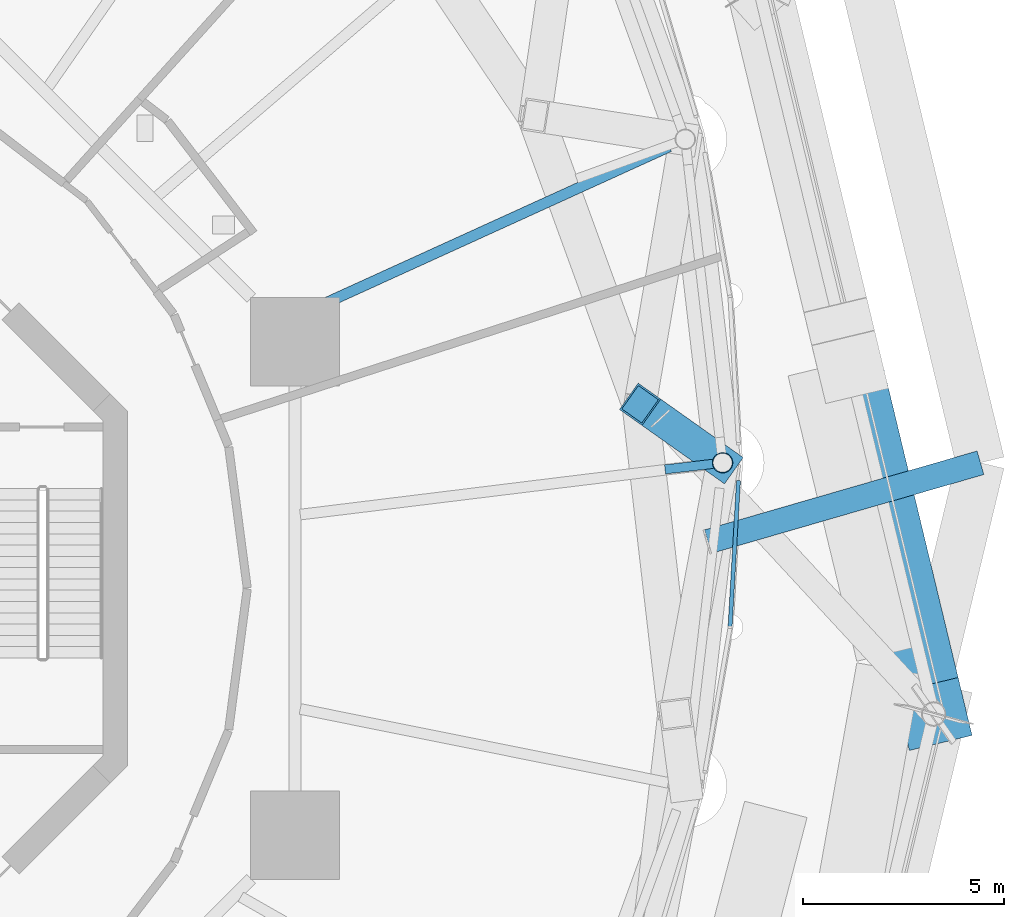
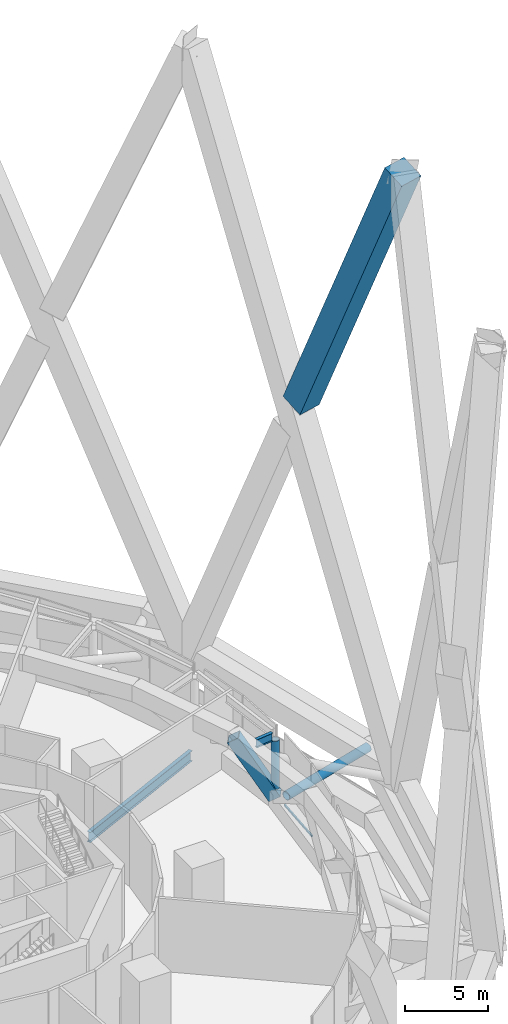
# One storey, part 29 of 65: 4 members, 3 beams, 1 element without a shape of its own.
"""IFC4 building model written with IfcOpenShell, lengths in metres."""

import ifcopenshell
import ifcopenshell.guid

model = None  # the IFC model being written
_history = None  # IfcOwnerHistory: only IFC2X3 demands one
_inside = {}  # id of a spatial element -> (the spatial element, [elements in it])
_under = {}  # id of a project, library or spatial element -> (it, [spatial elements below it])
_declared = {}  # id of a project -> (the project, [libraries it declares])
_typed = {}  # id of a type object -> (the type object, [elements of that type])
_made_of = {}  # id of a material, layer set ... -> (it, [elements and type objects made of it])


def new_model(schema):
    """Start an empty IFC model of exactly this schema.

    Asked for "IFC4X3", IfcOpenShell would pick the latest addendum, in which some entities
    have other attributes; the version numbers below select the first issue.
    IFC2X3 requires an IfcOwnerHistory on every rooted entity: one is made here for all.
    """
    global model, _history
    if schema == "IFC4X3":
        model = ifcopenshell.file(schema_version=(4, 3, 0, 0))
    else:
        model = ifcopenshell.file(schema=schema)
    _inside.clear()
    _under.clear()
    _declared.clear()
    _typed.clear()
    _made_of.clear()
    _history = None
    if model.schema == "IFC2X3":
        org = make("IfcOrganization", Name="unknown")
        user = make(
            "IfcPersonAndOrganization",
            ThePerson=make("IfcPerson", FamilyName="unknown"),
            TheOrganization=org,
        )
        app = make(
            "IfcApplication",
            ApplicationDeveloper=org,
            Version="unknown",
            ApplicationFullName="unknown",
            ApplicationIdentifier="unknown",
        )
        _history = make(
            "IfcOwnerHistory",
            OwningUser=user,
            OwningApplication=app,
            ChangeAction="ADDED",
            CreationDate=0,
        )
    return model


def make(cls, **values):
    """One entity of the class cls with the attributes given. An attribute that is None is left unset."""
    return model.create_entity(
        cls, **{name: value for name, value in values.items() if value is not None}
    )


def rooted(cls, **values):
    """An entity with a GlobalId (a new one), such as an element, a storey or a relation."""
    return make(cls, GlobalId=ifcopenshell.guid.new(), OwnerHistory=_history, **values)


def si_unit(unit_type, name, prefix=None):
    """IfcSIUnit, for example si_unit("LENGTHUNIT", "METRE", prefix="MILLI")."""
    return make("IfcSIUnit", UnitType=unit_type, Prefix=prefix, Name=name)


def assignment(units):
    """IfcUnitAssignment: the units of a project."""
    return None if units is None else make("IfcUnitAssignment", Units=units)


def point(xyz):
    """IfcCartesianPoint."""
    return None if xyz is None else make("IfcCartesianPoint", Coordinates=xyz)


def direction(xyz):
    """IfcDirection."""
    return None if xyz is None else make("IfcDirection", DirectionRatios=xyz)


def frame(location, z_axis=None, x_axis=None):
    """IfcAxis2Placement3D, a coordinate frame: its origin and axes. An axis left out is left unset."""
    return make(
        "IfcAxis2Placement3D",
        Location=point(location),
        Axis=direction(z_axis),
        RefDirection=direction(x_axis),
    )


def frame_2d(location, x_axis=None):
    """IfcAxis2Placement2D, a coordinate frame in the plane: its origin and x axis."""
    return make(
        "IfcAxis2Placement2D", Location=point(location), RefDirection=direction(x_axis)
    )


def origin():
    """The frame at (0, 0, 0) with its axes left unset."""
    return frame((0.0, 0.0, 0.0))


def origin_2d():
    """The frame at (0, 0) in the plane with its x axis left unset."""
    return frame_2d((0.0, 0.0))


def place(relative_to, where):
    """IfcLocalPlacement: puts the frame where relative to a parent placement (None: the world)."""
    return make(
        "IfcLocalPlacement", PlacementRelTo=relative_to, RelativePlacement=where
    )


def context(
    kind, dimensions, precision=None, world=None, true_north=None, identifier=None
):
    """IfcGeometricRepresentationContext, for example the 3D "Model" context."""
    return make(
        "IfcGeometricRepresentationContext",
        ContextIdentifier=identifier,
        ContextType=kind,
        CoordinateSpaceDimension=dimensions,
        Precision=precision,
        WorldCoordinateSystem=world,
        TrueNorth=true_north,
    )


def subcontext(parent, identifier, kind, view, scale=None):
    """IfcGeometricRepresentationSubContext, for example "Body" below "Model"."""
    return make(
        "IfcGeometricRepresentationSubContext",
        ContextIdentifier=identifier,
        ContextType=kind,
        ParentContext=parent,
        TargetScale=scale,
        TargetView=view,
    )


def project(units=None, contexts=None):
    """IfcProject with its units and contexts."""
    return rooted(
        "IfcProject",
        Name="project",
        RepresentationContexts=contexts,
        UnitsInContext=assignment(units),
    )


def spatial(cls, under=None, at=None, **own):
    """A site, building, storey or space (cls), placed at a placement, below another one or the project."""
    s = rooted(cls, ObjectPlacement=at, **own)
    if under is not None:
        _under.setdefault(under.id(), (under, []))[1].append(s)
    return s


def profile(cls, at=None, kind="AREA", **sizes):
    """A parametric profile (cls). Its sizes go by their IFC names, for example OverallWidth=200.0."""
    return make(cls, ProfileType=kind, Position=at, **sizes)


def rectangle(**sizes):
    """IfcRectangleProfileDef."""
    return profile("IfcRectangleProfileDef", **sizes)


def hollow_rectangle(**sizes):
    """IfcRectangleHollowProfileDef."""
    return profile("IfcRectangleHollowProfileDef", **sizes)


def hollow_circle(**sizes):
    """IfcCircleHollowProfileDef."""
    return profile("IfcCircleHollowProfileDef", **sizes)


def i_section(**sizes):
    """IfcIShapeProfileDef."""
    return profile("IfcIShapeProfileDef", **sizes)


def extrude(swept, where, along, depth):
    """IfcExtrudedAreaSolid: the profile swept, set in the frame where, extruded along a direction by depth."""
    return make(
        "IfcExtrudedAreaSolid",
        SweptArea=swept,
        Position=where,
        ExtrudedDirection=direction(along),
        Depth=depth,
    )


def shape(context_of_items, identifier, shape_type, items):
    """IfcShapeRepresentation: the items that make up one representation, for example the "Body"."""
    return make(
        "IfcShapeRepresentation",
        ContextOfItems=context_of_items,
        RepresentationIdentifier=identifier,
        RepresentationType=shape_type,
        Items=items,
    )


def material(Name=None, Category=None):
    """IfcMaterial."""
    return make("IfcMaterial", Name=Name, Category=Category)


def layer(
    of_material, thickness, ventilated=None, Name=None, Category=None, Priority=None
):
    """IfcMaterialLayer: one layer of a wall or slab, of a material (None: an air gap)."""
    return make(
        "IfcMaterialLayer",
        Material=of_material,
        LayerThickness=thickness,
        IsVentilated=ventilated,
        Name=Name,
        Category=Category,
        Priority=Priority,
    )


def layer_set(layers, Name=None):
    """IfcMaterialLayerSet."""
    return make("IfcMaterialLayerSet", MaterialLayers=layers, LayerSetName=Name)


def material_profile(
    of_material, cross_section, Name=None, Category=None, Priority=None
):
    """IfcMaterialProfile: a cross section and its material."""
    return make(
        "IfcMaterialProfile",
        Name=Name,
        Material=of_material,
        Profile=cross_section,
        Priority=Priority,
        Category=Category,
    )


def profile_set(profiles, Name=None, composite=None):
    """IfcMaterialProfileSet."""
    return make(
        "IfcMaterialProfileSet",
        Name=Name,
        MaterialProfiles=profiles,
        CompositeProfile=composite,
    )


def made_of(thing, what):
    """Note that an element or type object is made of a material, layer set ...; save() writes the relation."""
    if what is not None:
        _made_of.setdefault(what.id(), (what, []))[1].append(thing)
    return thing


def type_object(cls, material=None, **own):
    """A type object (cls), such as IfcWallType, which elements share."""
    return made_of(rooted(cls, **own), material)


def element(
    cls,
    number,
    at=None,
    inside=None,
    cuts=None,
    type_object=None,
    material=None,
    context=None,
    identifier="Body",
    shape_type=None,
    held_by="IfcProductDefinitionShape",
    body=None,
    shapes=None,
    **own,
):
    """One element of the class cls, such as IfcWall. Its Tag is "e" and its number.

    at: its placement. inside: the storey or other place that contains it. cuts: it is an
    opening in that element (IfcRelVoidsElement). A single representation is given by context,
    identifier, shape_type and body (its items); several are given by shapes. held_by: the class
    of the entity that holds the representations. save() writes the other relations.
    """
    e = rooted(cls, Tag="e%d" % number, ObjectPlacement=at, **own)
    if body is not None:
        shapes = [shape(context, identifier, shape_type, body)]
    if shapes is not None:
        e.Representation = make(held_by, Representations=shapes)
    if inside is not None:
        _inside.setdefault(inside.id(), (inside, []))[1].append(e)
    if cuts is not None:
        rooted(
            "IfcRelVoidsElement", RelatingBuildingElement=cuts, RelatedOpeningElement=e
        )
    if type_object is not None:
        _typed.setdefault(type_object.id(), (type_object, []))[1].append(e)
    return made_of(e, material)


def aggregate(whole, parts):
    """IfcRelAggregates: a whole, such as a stair, and the parts it consists of."""
    return rooted("IfcRelAggregates", RelatingObject=whole, RelatedObjects=parts)


def save(model, path):
    """Write the relations noted so far, then the file.

    IfcRelAggregates (storeys below a building ...), IfcRelContainedInSpatialStructure (elements
    in a storey), IfcRelDefinesByType, IfcRelAssociatesMaterial and IfcRelDeclares: one each for
    every whole, place, type object, material and project.
    """
    for whole, parts in _under.values():
        aggregate(whole, parts)
    for where, things in _inside.values():
        rooted(
            "IfcRelContainedInSpatialStructure",
            RelatedElements=things,
            RelatingStructure=where,
        )
    for kind, things in _typed.values():
        rooted("IfcRelDefinesByType", RelatedObjects=things, RelatingType=kind)
    for what, things in _made_of.values():
        rooted("IfcRelAssociatesMaterial", RelatedObjects=things, RelatingMaterial=what)
    for by, libraries in _declared.values():
        rooted("IfcRelDeclares", RelatingContext=by, RelatedDefinitions=libraries)
    model.write(path)


model = new_model("IFC4")

# Units and contexts
model_context = context("Model", 3, precision=1e-05, world=origin(), true_north=direction((0.0, 1.0)))
body_context = subcontext(model_context, "Body", "Model", "MODEL_VIEW")
ifc_project = project(units=[si_unit("LENGTHUNIT", "METRE"), si_unit("AREAUNIT", "SQUARE_METRE"), si_unit("VOLUMEUNIT", "CUBIC_METRE"), si_unit("PLANEANGLEUNIT", "RADIAN"), si_unit("MASSUNIT", "GRAM", prefix="KILO")], contexts=[model_context])

# Site, building, storey
site_placement = place(None, origin())
site = spatial("IfcSite", under=ifc_project, at=site_placement, CompositionType="ELEMENT")
building_placement = place(site_placement, origin())
building = spatial("IfcBuilding", under=site, at=building_placement, Name="Nagisa Residences", CompositionType="ELEMENT")
storey_placement = place(building_placement, frame((0.0, 0.0, 114.0)))
storey = spatial("IfcBuildingStorey", under=building, at=storey_placement, Name="L28", CompositionType="ELEMENT", Elevation=114.0)

# Beam
ifc_material_1 = material(Name="Steel ASTM A572 Gr 50", Category="steel")
ifc_material_profile_1 = material_profile(ifc_material_1, hollow_rectangle(XDim=0.800048828125, YDim=0.800048828125, WallThickness=0.044921875, at=origin_2d()), Name="BX 800x800x45")
ifc_profile_set_1 = profile_set([ifc_material_profile_1], Name="Steel ASTM A572 Gr 50")
beam_type_1 = type_object("IfcBeamType", Name="Belt diagonal 2 BX 800x800x45", PredefinedType="BEAM", material=ifc_profile_set_1)
beam_1_placement = place(storey_placement, frame((25.39501953125, 3.11767578125, 0.60009765625), z_axis=(-0.422896459382, 0.299583180528, 0.855224241113), x_axis=(-0.578057841581, -0.815995791525, 0.0)))
element("IfcBeam", 1, at=beam_1_placement, inside=storey, type_object=beam_type_1, Name="beam:L28:bt2db01", PredefinedType="BEAM", context=body_context, shape_type="SweptSolid", body=[
    extrude(hollow_rectangle(XDim=0.800048828125, YDim=0.800048828125, WallThickness=0.044921875, at=origin_2d()), origin(), (0.0, 0.0, 1.0), 4.8408203125),
])

# Curtain wall, member
ifc_material_2 = material(Name="Aluminium curtain wall system", Category="aluminium")
ifc_layer = layer(ifc_material_2, 0.159912109375)
ifc_layer_set = layer_set([ifc_layer], Name="CW5 CURTAIN WALL")
curtain_wall_type = type_object("IfcCurtainWallType", Name="CW5 CURTAIN WALL", PredefinedType="NOTDEFINED", material=ifc_layer_set)
curtain_wall_placement = place(storey_placement, origin())
curtain_wall = element("IfcCurtainWall", 2, at=curtain_wall_placement, inside=storey, type_object=curtain_wall_type, Name="cw:CW5:L28:47", PredefinedType="NOTDEFINED")
ifc_material_3 = material(Name="Aluminium", Category="aluminium")
ifc_material_profile_2 = material_profile(ifc_material_3, rectangle(XDim=0.10009765625, YDim=0.1201171875, at=origin_2d()), Name="CW5 TRANSOM 100x120")
ifc_profile_set_2 = profile_set([ifc_material_profile_2], Name="Aluminium")
member_type_1 = type_object("IfcMemberType", Name="CW5 TRANSOM 100x120", PredefinedType="USERDEFINED", material=ifc_profile_set_2)
member_1_placement = place(storey_placement, frame((25.578125, -0.9912109375, 0.06005859375), z_axis=(0.057536613917, 0.998343396862, 0.0), x_axis=(-0.998343396862, 0.057536613917, 0.0)))
member_1 = element("IfcMember", 3, at=member_1_placement, type_object=member_type_1, Name="CW5 transom", ObjectType="TRANSOM", PredefinedType="USERDEFINED", context=body_context, shape_type="SweptSolid", body=[
    extrude(rectangle(XDim=0.10009765625, YDim=0.1201171875, at=origin_2d()), origin(), (0.0, 0.0, 1.0), 3.67041015625),
])
aggregate(curtain_wall, [member_1])

# Members
ifc_material_4 = material(Name="Concrete C80", Category="concrete")
ifc_material_profile_3 = material_profile(ifc_material_4, rectangle(XDim=1.60009765625, YDim=1.60009765625, at=origin_2d()), Name="C80 1600x1600")
ifc_profile_set_3 = profile_set([ifc_material_profile_3], Name="Concrete C80")
member_type_2 = type_object("IfcMemberType", Name="Cage diagonal 3 C80 1600x1600", PredefinedType="BRACE", material=ifc_profile_set_3)
member_2_placement = place(storey_placement, frame((28.56201171875, 5.4921875, 26.970458984375), z_axis=(0.090120264696, -0.374299994674, 0.922918117645), x_axis=(0.972217131243, 0.234080861492, 0.0)))
element("IfcMember", 4, at=member_2_placement, inside=storey, type_object=member_type_2, Name="mem:L28:cg3d002b", PredefinedType="BRACE", context=body_context, shape_type="SweptSolid", body=[
    extrude(rectangle(XDim=1.60009765625, YDim=1.60009765625, at=origin_2d()), origin(), (0.0, 0.0, 1.0), 23.002685546875),
])
ifc_material_5 = material(Name="Steel ASTM A572 Gr 65", Category="steel")
ifc_material_profile_4 = material_profile(ifc_material_5, hollow_circle(Radius=0.304931640625, WallThickness=0.02490234375, at=origin_2d()), Name="CHS 610x25")
ifc_profile_set_4 = profile_set([ifc_material_profile_4], Name="Steel ASTM A572 Gr 65")
member_type_3 = type_object("IfcMemberType", Name="Cage strut CHS 610x25", PredefinedType="STRUT", material=ifc_profile_set_4)
member_3_placement = place(storey_placement, frame((31.794921875, 3.11767578125, 1.89990234375), z_axis=(-0.960565726521, -0.278053025579, 0.0), x_axis=(0.278053025579, -0.960565726521, 0.0)))
element("IfcMember", 5, at=member_3_placement, inside=storey, type_object=member_type_3, Name="mem:L28:bt2st2a01", PredefinedType="STRUT", context=body_context, shape_type="SweptSolid", body=[
    extrude(hollow_circle(Radius=0.304931640625, WallThickness=0.02490234375, at=origin_2d()), origin(), (0.0, 0.0, 1.0), 7.041748046875),
])
ifc_material_6 = material(Name="Steel ASTM A572 Gr 65", Category="steel")
ifc_material_profile_5 = material_profile(ifc_material_6, hollow_circle(Radius=0.25390625, WallThickness=0.02001953125, at=origin_2d()), Name="CHS 508x20")
ifc_profile_set_5 = profile_set([ifc_material_profile_5], Name="Steel ASTM A572 Gr 65")
member_type_4 = type_object("IfcMemberType", Name="Garden edge post CHS 508x20", PredefinedType="POST", material=ifc_profile_set_5)
member_4_placement = place(storey_placement, frame((25.39501953125, 3.11767578125, 1.199951171875), z_axis=(0.0, 0.0, 1.0), x_axis=(1.0, 0.0, 0.0)))
element("IfcMember", 6, at=member_4_placement, inside=storey, type_object=member_type_4, Name="mem:L28:gp201", PredefinedType="POST", context=body_context, shape_type="SweptSolid", body=[
    extrude(hollow_circle(Radius=0.25390625, WallThickness=0.02001953125, at=origin_2d()), origin(), (0.0, 0.0, 1.0), 3.537109375),
])

# Beams
ifc_material_7 = material(Name="Steel ASTM A572 Gr 50", Category="steel")
ifc_material_profile_6 = material_profile(ifc_material_7, i_section(OverallWidth=0.22802734375, OverallDepth=0.60302734375, WebThickness=0.010498046875, FlangeThickness=0.014892578125, at=origin_2d()), Name="W610x101")
ifc_profile_set_6 = profile_set([ifc_material_profile_6], Name="Steel ASTM A572 Gr 50")
beam_type_2 = type_object("IfcBeamType", Name="Garden radial beam W610x101", PredefinedType="BEAM", material=ifc_profile_set_6)
beam_2_placement = place(storey_placement, frame((25.16259765625, 3.0908203125, 5.03857421875), z_axis=(-0.993409824283, -0.114616408152, 0.0), x_axis=(0.114616408152, -0.993409824283, 0.0)))
element("IfcBeam", 7, at=beam_2_placement, inside=storey, type_object=beam_type_2, Name="beam:L28:bt2gr01", PredefinedType="BEAM", context=body_context, shape_type="SweptSolid", body=[
    extrude(i_section(OverallWidth=0.22802734375, OverallDepth=0.60302734375, WebThickness=0.010498046875, FlangeThickness=0.014892578125, at=origin_2d()), origin(), (0.0, 0.0, 1.0), 1.203369140625),
])
ifc_material_8 = material(Name="Steel ASTM A572 Gr 50", Category="steel")
ifc_material_profile_7 = material_profile(ifc_material_8, i_section(OverallWidth=0.264892578125, OverallDepth=0.7529296875, WebThickness=0.01318359375, FlangeThickness=0.01708984375, at=origin_2d()), Name="W760x147")
ifc_profile_set_7 = profile_set([ifc_material_profile_7], Name="Steel ASTM A572 Gr 50")
beam_type_3 = type_object("IfcBeamType", Name="Radial beam W760x147", PredefinedType="BEAM", material=ifc_profile_set_7)
beam_3_placement = place(storey_placement, frame((24.069091796875, 10.963134765625, -0.7265625), z_axis=(-0.910042829761, -0.41451423136, 0.0), x_axis=(0.41451423136, -0.910042829761, 0.0)))
element("IfcBeam", 8, at=beam_3_placement, inside=storey, type_object=beam_type_3, Name="beam:L28:rb02", PredefinedType="BEAM", context=body_context, shape_type="SweptSolid", body=[
    extrude(i_section(OverallWidth=0.264892578125, OverallDepth=0.7529296875, WebThickness=0.01318359375, FlangeThickness=0.01708984375, at=origin_2d()), origin(), (0.0, 0.0, 1.0), 10.523193359375),
])

save(model, "model.ifc")
